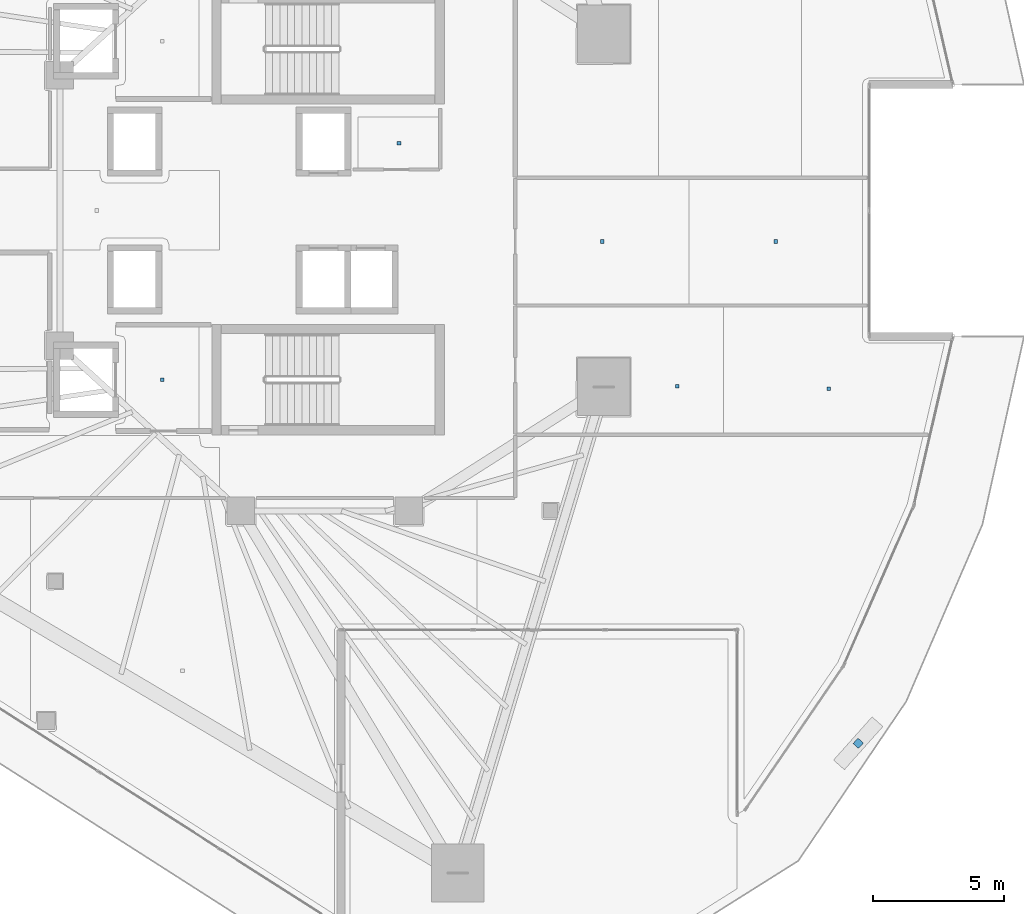
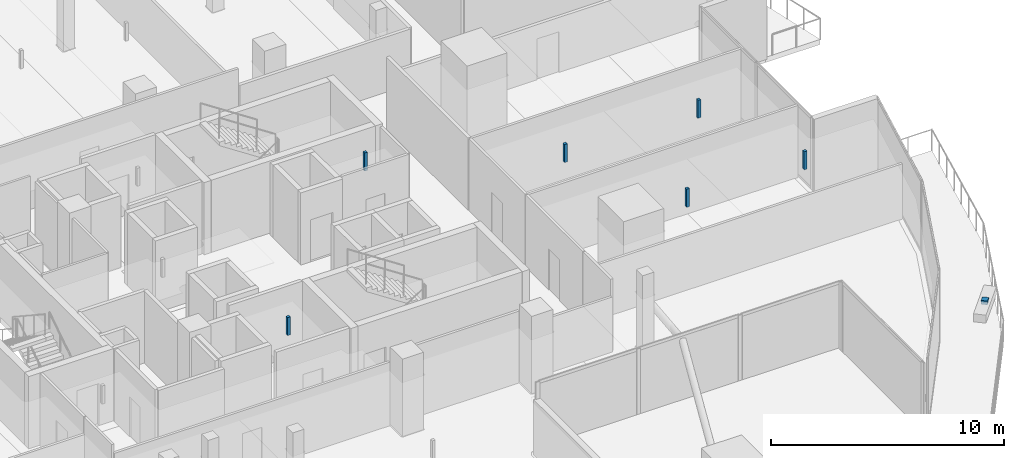
# One storey, part 30 of 39: 7 discrete accessories.
"""IFC4 building model written with IfcOpenShell, lengths in metres."""

from ifc_helpers import new_model, si_unit, direction, frame, origin, origin_2d, place, context, subcontext, project, spatial, rectangle, extrude, material, type_object, element, save


model = new_model("IFC4")

# Units and contexts
model_context = context("Model", 3, precision=1e-05, world=origin(), true_north=direction((0.0, 1.0)))
body_context = subcontext(model_context, "Body", "Model", "MODEL_VIEW")
ifc_project = project(units=[si_unit("LENGTHUNIT", "METRE"), si_unit("AREAUNIT", "SQUARE_METRE"), si_unit("VOLUMEUNIT", "CUBIC_METRE"), si_unit("PLANEANGLEUNIT", "RADIAN"), si_unit("MASSUNIT", "GRAM", prefix="KILO")], contexts=[model_context])

# Site, building, storey
site_placement = place(None, origin())
site = spatial("IfcSite", under=ifc_project, at=site_placement, CompositionType="ELEMENT")
building_placement = place(site_placement, origin())
building = spatial("IfcBuilding", under=site, at=building_placement, Name="Qorvath Tower", CompositionType="ELEMENT")
storey_placement = place(building_placement, frame((0.0, 0.0, 154.35009765625)))
storey = spatial("IfcBuildingStorey", under=building, at=storey_placement, Name="L35", CompositionType="ELEMENT", Elevation=154.35009765625)

# Discrete accessories
ifc_material = material(Name="Galvanised steel bracket", Category="steel")
discrete_accessory_type = type_object("IfcDiscreteAccessoryType", Name="DA-BRACKET", PredefinedType="BRACKET", material=ifc_material)
discrete_accessory_placement = place(storey_placement, frame((-0.07421875, -20.30322265625, 3.6396484375), z_axis=(0.0, 0.0, 1.0), x_axis=(0.66555477106, 0.746349011334, 0.0)))
element("IfcDiscreteAccessory", 1, at=discrete_accessory_placement, inside=storey, type_object=discrete_accessory_type, Name="Louvre Wave Support Bracket L35-02", PredefinedType="NOTDEFINED", context=body_context, shape_type="SweptSolid", body=[
    extrude(rectangle(XDim=0.280029296875, YDim=0.280029296875, at=origin_2d()), origin(), (0.0, 0.0, 1.0), 0.199951171875),
])
for number, where, z_axis, x_axis, name in (
    (2, (-26.590087890625, -6.449951171875, 2.85986328125), (0.0, 0.0, 1.0), (1.0, 0.0, 0.0), "Acoustic Ceiling Suspension Hanger T1-L35-002"),
    (3, (-17.572509765625, 2.5625, 2.85986328125), (0.0, 0.0, 1.0), (1.0, 0.0, 0.0), "Acoustic Ceiling Suspension Hanger T1-L35-003"),
    (4, (-6.96923828125, -6.7001953125, 2.85986328125), (0.0, 0.0, 1.0), (1.0, 0.0, 0.0), "Acoustic Ceiling Suspension Hanger T1-L35-020"),
    (5, (-1.19921875, -6.793701171875, 2.85986328125), (0.0, 0.0, 1.0), (1.0, 0.0, 0.0), "Acoustic Ceiling Suspension Hanger T1-L35-021"),
    (6, (-9.83154296875, -1.17919921875, 2.85986328125), (0.0, 0.0, 1.0), (1.0, 0.0, 0.0), "Acoustic Ceiling Suspension Hanger T1-L35-022"),
    (7, (-3.220703125, -1.17919921875, 2.85986328125), (0.0, 0.0, 1.0), (1.0, 0.0, 0.0), "Acoustic Ceiling Suspension Hanger T1-L35-023"),
):
    element("IfcDiscreteAccessory", number, at=place(storey_placement, frame(where, z_axis=z_axis, x_axis=x_axis)), inside=storey, type_object=discrete_accessory_type, Name=name, PredefinedType="NOTDEFINED", context=body_context, shape_type="SweptSolid", body=[
        extrude(rectangle(XDim=0.139892578125, YDim=0.139892578125, at=origin_2d()), origin(), (0.0, 0.0, 1.0), 0.949951171875),
    ])

save(model, "model.ifc")
